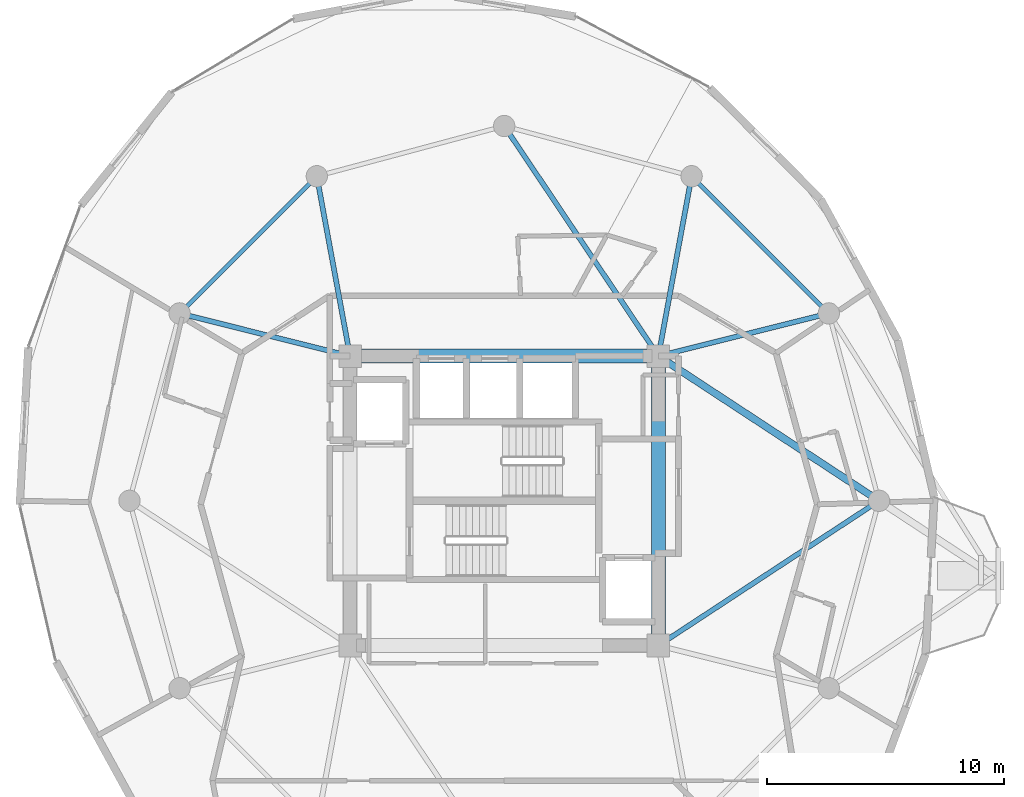
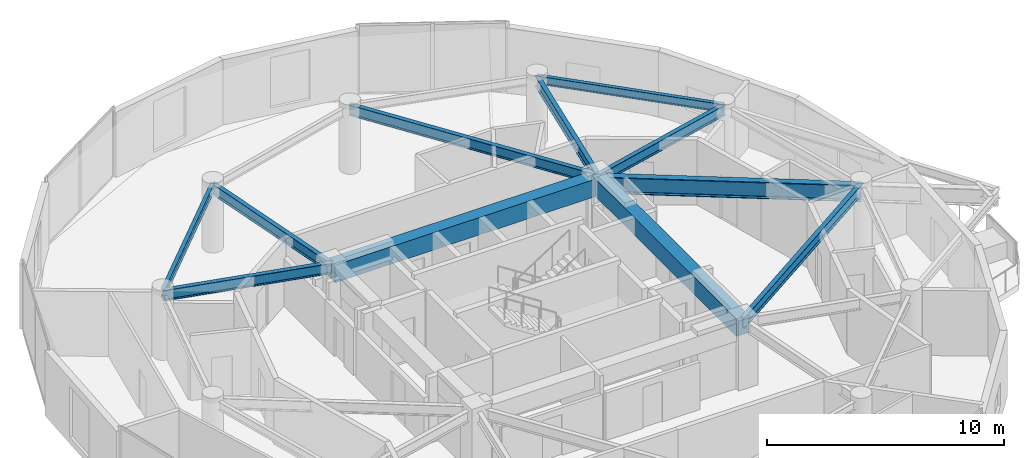
# One storey, part 10 of 21: 11 beams.
"""IFC4 building model written with IfcOpenShell, lengths in metres."""

from ifc_helpers import new_model, si_unit, direction, frame, origin, origin_2d, place, context, subcontext, project, spatial, rectangle, i_section, extrude, material, material_profile, profile_set, type_object, element, save


model = new_model("IFC4")

# Units and contexts
model_context = context("Model", 3, precision=1e-05, world=origin(), true_north=direction((0.0, 1.0)))
body_context = subcontext(model_context, "Body", "Model", "MODEL_VIEW")
ifc_project = project(units=[si_unit("LENGTHUNIT", "METRE"), si_unit("AREAUNIT", "SQUARE_METRE"), si_unit("VOLUMEUNIT", "CUBIC_METRE"), si_unit("PLANEANGLEUNIT", "RADIAN"), si_unit("MASSUNIT", "GRAM", prefix="KILO")], contexts=[model_context])

# Site, building, storey
site_placement = place(None, origin())
site = spatial("IfcSite", under=ifc_project, at=site_placement, CompositionType="ELEMENT")
building_placement = place(site_placement, origin())
building = spatial("IfcBuilding", under=site, at=building_placement, Name="Solvirekh Grand Hotel", CompositionType="ELEMENT")
storey_placement = place(building_placement, frame((0.0, 0.0, 216.39990234375)))
storey = spatial("IfcBuildingStorey", under=building, at=storey_placement, Name="L56", CompositionType="ELEMENT", Elevation=216.39990234375)

# Beams
ifc_material_1 = material(Name="Concrete C50/60", Category="concrete")
ifc_material_profile_1 = material_profile(ifc_material_1, rectangle(XDim=0.60009765625, YDim=0.89990234375, at=origin_2d()), Name="RC BEAM 600X900")
ifc_profile_set_1 = profile_set([ifc_material_profile_1], Name="Concrete C50/60")
beam_type_1 = type_object("IfcBeamType", Name="Beam_Core_RC900", PredefinedType="BEAM", material=ifc_profile_set_1)
beam_1_placement = place(storey_placement, frame((6.5, -6.10009765625, 2.91015625), z_axis=(0.0, 1.0, 0.0), x_axis=(-1.0, 0.0, 0.0)))
element("IfcBeam", 1, at=beam_1_placement, inside=storey, type_object=beam_type_1, Name="L56 core coupling ring beam 2", PredefinedType="BEAM", context=body_context, shape_type="SweptSolid", body=[
    extrude(rectangle(XDim=0.60009765625, YDim=0.89990234375, at=origin_2d()), origin(), (0.0, 0.0, 1.0), 12.2001953125),
])
beam_2_placement = place(storey_placement, frame((6.5, 6.10009765625, 2.91015625), z_axis=(-1.0, 0.0, 0.0), x_axis=(0.0, -1.0, 0.0)))
element("IfcBeam", 2, at=beam_2_placement, inside=storey, type_object=beam_type_1, Name="L56 core coupling ring beam 3", PredefinedType="BEAM", context=body_context, shape_type="SweptSolid", body=[
    extrude(rectangle(XDim=0.60009765625, YDim=0.89990234375, at=origin_2d()), origin(), (0.0, 0.0, 1.0), 13.0),
])
ifc_material_2 = material(Name="Steel S460", Category="steel")
ifc_material_profile_2 = material_profile(ifc_material_2, i_section(OverallWidth=0.302001953125, OverallDepth=0.85498046875, WebThickness=0.01904296875, FlangeThickness=0.032958984375, FilletRadius=0.01806640625, at=origin_2d()), Name="W840X299")
ifc_profile_set_2 = profile_set([ifc_material_profile_2], Name="Steel S460")
beam_type_2 = type_object("IfcBeamType", Name="Beam_PoolTie_W840", PredefinedType="BEAM", material=ifc_profile_set_2)
beam_3_placement = place(storey_placement, frame((6.5, 6.10009765625, 2.862060546875), z_axis=(0.836174064962, -0.548464158432, 0.0), x_axis=(0.548464158432, 0.836174064962, 0.0)))
element("IfcBeam", 3, at=beam_3_placement, inside=storey, type_object=beam_type_2, Name="L57 sky-garden back-span tie girder", PredefinedType="BEAM", context=body_context, shape_type="SweptSolid", body=[
    extrude(i_section(OverallWidth=0.302001953125, OverallDepth=0.85498046875, WebThickness=0.01904296875, FlangeThickness=0.032958984375, FilletRadius=0.01806640625, at=origin_2d()), origin(), (0.0, 0.0, 1.0), 11.1220703125),
])
ifc_material_3 = material(Name="Steel S355", Category="steel")
ifc_material_profile_3 = material_profile(ifc_material_3, i_section(OverallWidth=0.2119140625, OverallDepth=0.5439453125, WebThickness=0.011962890625, FlangeThickness=0.01904296875, FilletRadius=0.013916015625, at=origin_2d()), Name="W530X123")
ifc_profile_set_3 = profile_set([ifc_material_profile_3], Name="Steel S355")
beam_type_3 = type_object("IfcBeamType", Name="Beam_Radial_W530H", PredefinedType="BEAM", material=ifc_profile_set_3)
beam_4_placement = place(storey_placement, frame((6.5, -6.10009765625, 3.088134765625), z_axis=(0.836174064962, 0.548464158432, 0.0), x_axis=(-0.548464158432, 0.836174064962, 0.0)))
element("IfcBeam", 4, at=beam_4_placement, inside=storey, type_object=beam_type_3, Name="L56 radial floor beam R01", PredefinedType="BEAM", context=body_context, shape_type="SweptSolid", body=[
    extrude(i_section(OverallWidth=0.2119140625, OverallDepth=0.5439453125, WebThickness=0.011962890625, FlangeThickness=0.01904296875, FilletRadius=0.013916015625, at=origin_2d()), origin(), (0.0, 0.0, 1.0), 11.1220703125),
])
beam_5_placement = place(storey_placement, frame((6.5, 6.10009765625, 3.088134765625), z_axis=(0.970014367692, 0.243047580675, 0.0), x_axis=(-0.243047580675, 0.970014367692, 0.0)))
element("IfcBeam", 5, at=beam_5_placement, inside=storey, type_object=beam_type_3, Name="L56 radial floor beam R02", PredefinedType="BEAM", context=body_context, shape_type="SweptSolid", body=[
    extrude(i_section(OverallWidth=0.2119140625, OverallDepth=0.5439453125, WebThickness=0.011962890625, FlangeThickness=0.01904296875, FilletRadius=0.013916015625, at=origin_2d()), origin(), (0.0, 0.0, 1.0), 7.4052734375),
])
beam_6_placement = place(storey_placement, frame((6.5, 6.10009765625, 3.088134765625), z_axis=(0.181542769111, 0.983383049978, 0.0), x_axis=(-0.983383049978, 0.181542769111, 0.0)))
element("IfcBeam", 6, at=beam_6_placement, inside=storey, type_object=beam_type_3, Name="L56 radial floor beam R03", PredefinedType="BEAM", context=body_context, shape_type="SweptSolid", body=[
    extrude(i_section(OverallWidth=0.2119140625, OverallDepth=0.5439453125, WebThickness=0.011962890625, FlangeThickness=0.01904296875, FilletRadius=0.013916015625, at=origin_2d()), origin(), (0.0, 0.0, 1.0), 7.711181640625),
])
beam_7_placement = place(storey_placement, frame((6.5, 6.10009765625, 3.088134765625), z_axis=(-0.556676926176, 0.830729077295, 0.0), x_axis=(-0.830729077295, -0.556676926176, 0.0)))
element("IfcBeam", 7, at=beam_7_placement, inside=storey, type_object=beam_type_3, Name="L56 radial floor beam R04", PredefinedType="BEAM", context=body_context, shape_type="SweptSolid", body=[
    extrude(i_section(OverallWidth=0.2119140625, OverallDepth=0.5439453125, WebThickness=0.011962890625, FlangeThickness=0.01904296875, FilletRadius=0.013916015625, at=origin_2d()), origin(), (0.0, 0.0, 1.0), 11.676513671875),
])
beam_8_placement = place(storey_placement, frame((-6.5, 6.10009765625, 3.088134765625), z_axis=(-0.181542769111, 0.983383049978, 0.0), x_axis=(-0.983383049978, -0.181542769111, 0.0)))
element("IfcBeam", 8, at=beam_8_placement, inside=storey, type_object=beam_type_3, Name="L56 radial floor beam R05", PredefinedType="BEAM", context=body_context, shape_type="SweptSolid", body=[
    extrude(i_section(OverallWidth=0.2119140625, OverallDepth=0.5439453125, WebThickness=0.011962890625, FlangeThickness=0.01904296875, FilletRadius=0.013916015625, at=origin_2d()), origin(), (0.0, 0.0, 1.0), 7.711181640625),
])
beam_9_placement = place(storey_placement, frame((-6.5, 6.10009765625, 3.088134765625), z_axis=(-0.970014367692, 0.243047580675, 0.0), x_axis=(-0.243047580675, -0.970014367692, 0.0)))
element("IfcBeam", 9, at=beam_9_placement, inside=storey, type_object=beam_type_3, Name="L56 radial floor beam R06", PredefinedType="BEAM", context=body_context, shape_type="SweptSolid", body=[
    extrude(i_section(OverallWidth=0.2119140625, OverallDepth=0.5439453125, WebThickness=0.011962890625, FlangeThickness=0.01904296875, FilletRadius=0.013916015625, at=origin_2d()), origin(), (0.0, 0.0, 1.0), 7.4052734375),
])
ifc_material_profile_4 = material_profile(ifc_material_3, i_section(OverallWidth=0.180908203125, OverallDepth=0.4169921875, WebThickness=0.010009765625, FlangeThickness=0.01611328125, FilletRadius=0.011962890625, at=origin_2d()), Name="W410X85")
ifc_profile_set_4 = profile_set([ifc_material_profile_4], Name="Steel S355")
beam_type_4 = type_object("IfcBeamType", Name="Spandrel_Ring_W410", PredefinedType="SPANDREL", material=ifc_profile_set_4)
for number, where, z_axis, x_axis, name in (
    (10, (13.68310546875, 7.89990234375, 3.152099609375), (-0.707106781187, 0.707106781187, 0.0), (-0.707106781187, -0.707106781187, 0.0), "L56 perimeter spandrel beam 2"),
    (11, (-7.89990234375, 13.68310546875, 3.152099609375), (-0.707106781187, -0.707106781187, 0.0), (0.707106781187, -0.707106781187, 0.0), "L56 perimeter spandrel beam 5"),
):
    element("IfcBeam", number, at=place(storey_placement, frame(where, z_axis=z_axis, x_axis=x_axis)), inside=storey, type_object=beam_type_4, Name=name, PredefinedType="SPANDREL", context=body_context, shape_type="SweptSolid", body=[
        extrude(i_section(OverallWidth=0.180908203125, OverallDepth=0.4169921875, WebThickness=0.010009765625, FlangeThickness=0.01611328125, FilletRadius=0.011962890625, at=origin_2d()), origin(), (0.0, 0.0, 1.0), 8.1787109375),
    ])

save(model, "model.ifc")
